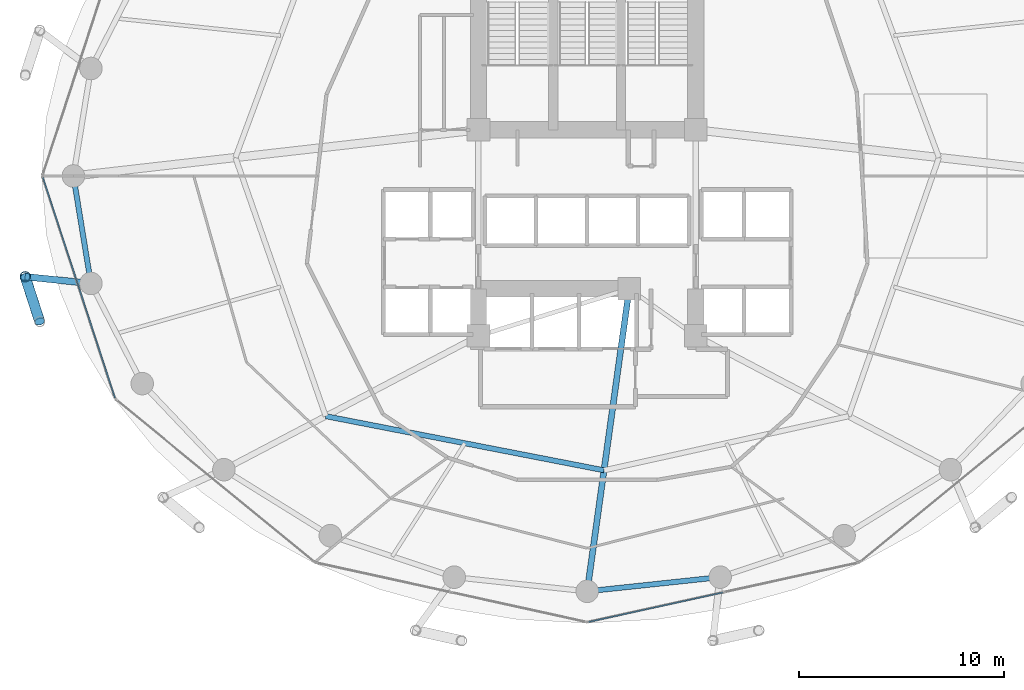
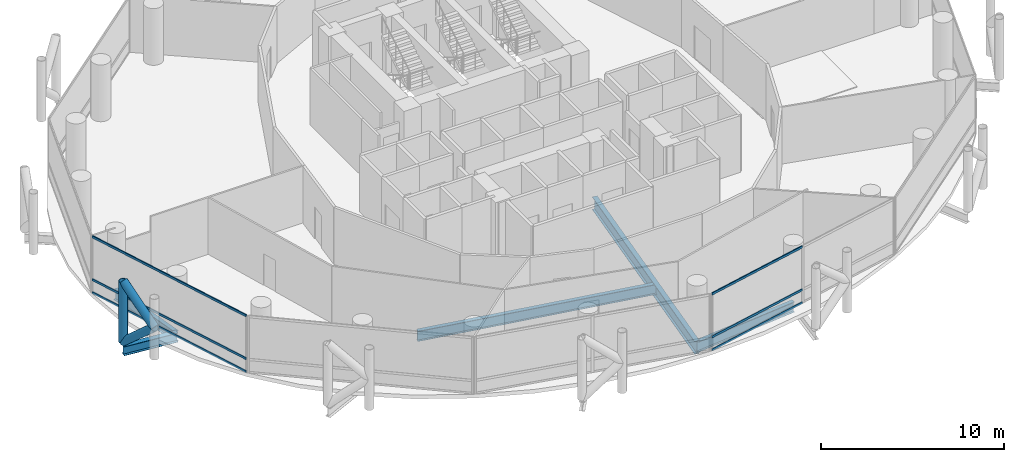
# One storey, part 5 of 24: 9 members, 5 beams, 2 elements without a shape of their own.
"""IFC4 building model written with IfcOpenShell, lengths in metres."""

import ifcopenshell
import ifcopenshell.guid

model = None  # the IFC model being written
_history = None  # IfcOwnerHistory: only IFC2X3 demands one
_inside = {}  # id of a spatial element -> (the spatial element, [elements in it])
_under = {}  # id of a project, library or spatial element -> (it, [spatial elements below it])
_declared = {}  # id of a project -> (the project, [libraries it declares])
_typed = {}  # id of a type object -> (the type object, [elements of that type])
_made_of = {}  # id of a material, layer set ... -> (it, [elements and type objects made of it])


def new_model(schema):
    """Start an empty IFC model of exactly this schema.

    Asked for "IFC4X3", IfcOpenShell would pick the latest addendum, in which some entities
    have other attributes; the version numbers below select the first issue.
    IFC2X3 requires an IfcOwnerHistory on every rooted entity: one is made here for all.
    """
    global model, _history
    if schema == "IFC4X3":
        model = ifcopenshell.file(schema_version=(4, 3, 0, 0))
    else:
        model = ifcopenshell.file(schema=schema)
    _inside.clear()
    _under.clear()
    _declared.clear()
    _typed.clear()
    _made_of.clear()
    _history = None
    if model.schema == "IFC2X3":
        org = make("IfcOrganization", Name="unknown")
        user = make(
            "IfcPersonAndOrganization",
            ThePerson=make("IfcPerson", FamilyName="unknown"),
            TheOrganization=org,
        )
        app = make(
            "IfcApplication",
            ApplicationDeveloper=org,
            Version="unknown",
            ApplicationFullName="unknown",
            ApplicationIdentifier="unknown",
        )
        _history = make(
            "IfcOwnerHistory",
            OwningUser=user,
            OwningApplication=app,
            ChangeAction="ADDED",
            CreationDate=0,
        )
    return model


def make(cls, **values):
    """One entity of the class cls with the attributes given. An attribute that is None is left unset."""
    return model.create_entity(
        cls, **{name: value for name, value in values.items() if value is not None}
    )


def rooted(cls, **values):
    """An entity with a GlobalId (a new one), such as an element, a storey or a relation."""
    return make(cls, GlobalId=ifcopenshell.guid.new(), OwnerHistory=_history, **values)


def si_unit(unit_type, name, prefix=None):
    """IfcSIUnit, for example si_unit("LENGTHUNIT", "METRE", prefix="MILLI")."""
    return make("IfcSIUnit", UnitType=unit_type, Prefix=prefix, Name=name)


def assignment(units):
    """IfcUnitAssignment: the units of a project."""
    return None if units is None else make("IfcUnitAssignment", Units=units)


def point(xyz):
    """IfcCartesianPoint."""
    return None if xyz is None else make("IfcCartesianPoint", Coordinates=xyz)


def direction(xyz):
    """IfcDirection."""
    return None if xyz is None else make("IfcDirection", DirectionRatios=xyz)


def frame(location, z_axis=None, x_axis=None):
    """IfcAxis2Placement3D, a coordinate frame: its origin and axes. An axis left out is left unset."""
    return make(
        "IfcAxis2Placement3D",
        Location=point(location),
        Axis=direction(z_axis),
        RefDirection=direction(x_axis),
    )


def frame_2d(location, x_axis=None):
    """IfcAxis2Placement2D, a coordinate frame in the plane: its origin and x axis."""
    return make(
        "IfcAxis2Placement2D", Location=point(location), RefDirection=direction(x_axis)
    )


def origin():
    """The frame at (0, 0, 0) with its axes left unset."""
    return frame((0.0, 0.0, 0.0))


def origin_2d():
    """The frame at (0, 0) in the plane with its x axis left unset."""
    return frame_2d((0.0, 0.0))


def place(relative_to, where):
    """IfcLocalPlacement: puts the frame where relative to a parent placement (None: the world)."""
    return make(
        "IfcLocalPlacement", PlacementRelTo=relative_to, RelativePlacement=where
    )


def context(
    kind, dimensions, precision=None, world=None, true_north=None, identifier=None
):
    """IfcGeometricRepresentationContext, for example the 3D "Model" context."""
    return make(
        "IfcGeometricRepresentationContext",
        ContextIdentifier=identifier,
        ContextType=kind,
        CoordinateSpaceDimension=dimensions,
        Precision=precision,
        WorldCoordinateSystem=world,
        TrueNorth=true_north,
    )


def subcontext(parent, identifier, kind, view, scale=None):
    """IfcGeometricRepresentationSubContext, for example "Body" below "Model"."""
    return make(
        "IfcGeometricRepresentationSubContext",
        ContextIdentifier=identifier,
        ContextType=kind,
        ParentContext=parent,
        TargetScale=scale,
        TargetView=view,
    )


def project(units=None, contexts=None):
    """IfcProject with its units and contexts."""
    return rooted(
        "IfcProject",
        Name="project",
        RepresentationContexts=contexts,
        UnitsInContext=assignment(units),
    )


def spatial(cls, under=None, at=None, **own):
    """A site, building, storey or space (cls), placed at a placement, below another one or the project."""
    s = rooted(cls, ObjectPlacement=at, **own)
    if under is not None:
        _under.setdefault(under.id(), (under, []))[1].append(s)
    return s


def profile(cls, at=None, kind="AREA", **sizes):
    """A parametric profile (cls). Its sizes go by their IFC names, for example OverallWidth=200.0."""
    return make(cls, ProfileType=kind, Position=at, **sizes)


def hollow_rectangle(**sizes):
    """IfcRectangleHollowProfileDef."""
    return profile("IfcRectangleHollowProfileDef", **sizes)


def hollow_circle(**sizes):
    """IfcCircleHollowProfileDef."""
    return profile("IfcCircleHollowProfileDef", **sizes)


def i_section(**sizes):
    """IfcIShapeProfileDef."""
    return profile("IfcIShapeProfileDef", **sizes)


def extrude(swept, where, along, depth):
    """IfcExtrudedAreaSolid: the profile swept, set in the frame where, extruded along a direction by depth."""
    return make(
        "IfcExtrudedAreaSolid",
        SweptArea=swept,
        Position=where,
        ExtrudedDirection=direction(along),
        Depth=depth,
    )


def shape(context_of_items, identifier, shape_type, items):
    """IfcShapeRepresentation: the items that make up one representation, for example the "Body"."""
    return make(
        "IfcShapeRepresentation",
        ContextOfItems=context_of_items,
        RepresentationIdentifier=identifier,
        RepresentationType=shape_type,
        Items=items,
    )


def material(Name=None, Category=None):
    """IfcMaterial."""
    return make("IfcMaterial", Name=Name, Category=Category)


def layer(
    of_material, thickness, ventilated=None, Name=None, Category=None, Priority=None
):
    """IfcMaterialLayer: one layer of a wall or slab, of a material (None: an air gap)."""
    return make(
        "IfcMaterialLayer",
        Material=of_material,
        LayerThickness=thickness,
        IsVentilated=ventilated,
        Name=Name,
        Category=Category,
        Priority=Priority,
    )


def layer_set(layers, Name=None):
    """IfcMaterialLayerSet."""
    return make("IfcMaterialLayerSet", MaterialLayers=layers, LayerSetName=Name)


def material_profile(
    of_material, cross_section, Name=None, Category=None, Priority=None
):
    """IfcMaterialProfile: a cross section and its material."""
    return make(
        "IfcMaterialProfile",
        Name=Name,
        Material=of_material,
        Profile=cross_section,
        Priority=Priority,
        Category=Category,
    )


def profile_set(profiles, Name=None, composite=None):
    """IfcMaterialProfileSet."""
    return make(
        "IfcMaterialProfileSet",
        Name=Name,
        MaterialProfiles=profiles,
        CompositeProfile=composite,
    )


def made_of(thing, what):
    """Note that an element or type object is made of a material, layer set ...; save() writes the relation."""
    if what is not None:
        _made_of.setdefault(what.id(), (what, []))[1].append(thing)
    return thing


def type_object(cls, material=None, **own):
    """A type object (cls), such as IfcWallType, which elements share."""
    return made_of(rooted(cls, **own), material)


def element(
    cls,
    number,
    at=None,
    inside=None,
    cuts=None,
    type_object=None,
    material=None,
    context=None,
    identifier="Body",
    shape_type=None,
    held_by="IfcProductDefinitionShape",
    body=None,
    shapes=None,
    **own,
):
    """One element of the class cls, such as IfcWall. Its Tag is "e" and its number.

    at: its placement. inside: the storey or other place that contains it. cuts: it is an
    opening in that element (IfcRelVoidsElement). A single representation is given by context,
    identifier, shape_type and body (its items); several are given by shapes. held_by: the class
    of the entity that holds the representations. save() writes the other relations.
    """
    e = rooted(cls, Tag="e%d" % number, ObjectPlacement=at, **own)
    if body is not None:
        shapes = [shape(context, identifier, shape_type, body)]
    if shapes is not None:
        e.Representation = make(held_by, Representations=shapes)
    if inside is not None:
        _inside.setdefault(inside.id(), (inside, []))[1].append(e)
    if cuts is not None:
        rooted(
            "IfcRelVoidsElement", RelatingBuildingElement=cuts, RelatedOpeningElement=e
        )
    if type_object is not None:
        _typed.setdefault(type_object.id(), (type_object, []))[1].append(e)
    return made_of(e, material)


def aggregate(whole, parts):
    """IfcRelAggregates: a whole, such as a stair, and the parts it consists of."""
    return rooted("IfcRelAggregates", RelatingObject=whole, RelatedObjects=parts)


def save(model, path):
    """Write the relations noted so far, then the file.

    IfcRelAggregates (storeys below a building ...), IfcRelContainedInSpatialStructure (elements
    in a storey), IfcRelDefinesByType, IfcRelAssociatesMaterial and IfcRelDeclares: one each for
    every whole, place, type object, material and project.
    """
    for whole, parts in _under.values():
        aggregate(whole, parts)
    for where, things in _inside.values():
        rooted(
            "IfcRelContainedInSpatialStructure",
            RelatedElements=things,
            RelatingStructure=where,
        )
    for kind, things in _typed.values():
        rooted("IfcRelDefinesByType", RelatedObjects=things, RelatingType=kind)
    for what, things in _made_of.values():
        rooted("IfcRelAssociatesMaterial", RelatedObjects=things, RelatingMaterial=what)
    for by, libraries in _declared.values():
        rooted("IfcRelDeclares", RelatingContext=by, RelatedDefinitions=libraries)
    model.write(path)


model = new_model("IFC4")

# Units and contexts
model_context = context("Model", 3, precision=1e-05, world=origin(), true_north=direction((0.0, 1.0)))
body_context = subcontext(model_context, "Body", "Model", "MODEL_VIEW")
ifc_project = project(units=[si_unit("LENGTHUNIT", "METRE"), si_unit("AREAUNIT", "SQUARE_METRE"), si_unit("VOLUMEUNIT", "CUBIC_METRE"), si_unit("PLANEANGLEUNIT", "RADIAN"), si_unit("MASSUNIT", "GRAM", prefix="KILO")], contexts=[model_context])

# Site, building, storey
site_placement = place(None, origin())
site = spatial("IfcSite", under=ifc_project, at=site_placement, CompositionType="ELEMENT")
building_placement = place(site_placement, origin())
building = spatial("IfcBuilding", under=site, at=building_placement, Name="Nuhasar Tower", CompositionType="ELEMENT")
storey_placement = place(building_placement, frame((0.0, 0.0, 37.199951171875)))
storey = spatial("IfcBuildingStorey", under=building, at=storey_placement, Name="L08", CompositionType="ELEMENT", Elevation=37.199951171875)

# Beams
ifc_material_1 = material(Name="Steel S355", Category="steel")
ifc_material_profile_1 = material_profile(ifc_material_1, i_section(OverallWidth=0.25390625, OverallDepth=0.68408203125, WebThickness=0.012451171875, FlangeThickness=0.018798828125, at=origin_2d()), Name="W27X94")
ifc_profile_set_1 = profile_set([ifc_material_profile_1], Name="Steel S355")
beam_type_1 = type_object("IfcBeamType", Name="BM-INRING-W27X94", PredefinedType="BEAM", material=ifc_profile_set_1)
beam_1_placement = place(storey_placement, frame((26.251953125, 15.089111328125, -0.60205078125), z_axis=(0.981602977761, -0.190933480695, 0.0), x_axis=(0.190933480695, 0.981602977761, 0.0)))
element("IfcBeam", 1, at=beam_1_placement, inside=storey, type_object=beam_type_1, Name="L08 Inner Header Beam 01", PredefinedType="BEAM", context=body_context, shape_type="SweptSolid", body=[
    extrude(i_section(OverallWidth=0.25390625, OverallDepth=0.68408203125, WebThickness=0.012451171875, FlangeThickness=0.018798828125, at=origin_2d()), origin(), (0.0, 0.0, 1.0), 13.822509765625),
])
ifc_material_profile_2 = material_profile(ifc_material_1, i_section(OverallWidth=0.2919921875, OverallDepth=0.85888671875, WebThickness=0.01708984375, FlangeThickness=0.031005859375, at=origin_2d()), Name="W33X169")
ifc_profile_set_2 = profile_set([ifc_material_profile_2], Name="Steel S355")
beam_type_2 = type_object("IfcBeamType", Name="BM-POD-W33X169", PredefinedType="BEAM", material=ifc_profile_set_2)
beam_2_placement = place(storey_placement, frame((41.050048828125, 21.300048828125, -0.68896484375), z_axis=(-0.137663087856, -0.990479113481, 0.0), x_axis=(0.990479113481, -0.137663087856, 0.0)))
element("IfcBeam", 2, at=beam_2_placement, inside=storey, type_object=beam_type_2, Name="L08 Radial Floor Girder 02", PredefinedType="BEAM", context=body_context, shape_type="SweptSolid", body=[
    extrude(i_section(OverallWidth=0.2919921875, OverallDepth=0.85888671875, WebThickness=0.01708984375, FlangeThickness=0.031005859375, at=origin_2d()), origin(), (0.0, 0.0, 1.0), 14.891845703125),
])
ifc_material_profile_3 = material_profile(ifc_material_1, i_section(OverallWidth=0.256103515625, OverallDepth=0.693115234375, WebThickness=0.014404296875, FlangeThickness=0.023681640625, at=origin_2d()), Name="W27X114")
ifc_profile_set_3 = profile_set([ifc_material_profile_3], Name="Steel S355")
beam_type_3 = type_object("IfcBeamType", Name="BM-RING-W27X114", PredefinedType="SPANDREL", material=ifc_profile_set_3)
beam_3_placement = place(storey_placement, frame((13.949951171875, 26.800048828125, -0.60693359375), z_axis=(0.160826635486, -0.986982671235, 0.0), x_axis=(0.986982671235, 0.160826635486, 0.0)))
element("IfcBeam", 3, at=beam_3_placement, inside=storey, type_object=beam_type_3, Name="L08 Perimeter Ring Spandrel 13", PredefinedType="SPANDREL", context=body_context, shape_type="SweptSolid", body=[
    extrude(i_section(OverallWidth=0.256103515625, OverallDepth=0.693115234375, WebThickness=0.014404296875, FlangeThickness=0.023681640625, at=origin_2d()), origin(), (0.0, 0.0, 1.0), 5.31005859375),
])
beam_4_placement = place(storey_placement, frame((39.0, 6.550048828125, -0.60693359375), z_axis=(0.994384554061, 0.105827022286, 0.0), x_axis=(-0.105827022286, 0.994384554061, 0.0)))
element("IfcBeam", 4, at=beam_4_placement, inside=storey, type_object=beam_type_3, Name="L08 Perimeter Ring Spandrel 19", PredefinedType="SPANDREL", context=body_context, shape_type="SweptSolid", body=[
    extrude(i_section(OverallWidth=0.256103515625, OverallDepth=0.693115234375, WebThickness=0.014404296875, FlangeThickness=0.023681640625, at=origin_2d()), origin(), (0.0, 0.0, 1.0), 6.51953125),
])
ifc_material_profile_4 = material_profile(ifc_material_1, i_section(OverallWidth=0.323974609375, OverallDepth=0.611083984375, WebThickness=0.0126953125, FlangeThickness=0.01904296875, at=origin_2d()), Name="W24X104")
ifc_profile_set_4 = profile_set([ifc_material_profile_4], Name="Steel S355")
beam_type_4 = type_object("IfcBeamType", Name="BM-TIE-W24X104", PredefinedType="BEAM", material=ifc_profile_set_4)
beam_5_placement = place(storey_placement, frame((14.803955078125, 21.55908203125, -0.56591796875), z_axis=(-0.994711572359, 0.102707778751, 0.0), x_axis=(-0.102707778751, -0.994711572359, 0.0)))
element("IfcBeam", 5, at=beam_5_placement, inside=storey, type_object=beam_type_4, Name="L08 Exoskeleton Node Tie Beam 07", PredefinedType="BEAM", context=body_context, shape_type="SweptSolid", body=[
    extrude(i_section(OverallWidth=0.323974609375, OverallDepth=0.611083984375, WebThickness=0.0126953125, FlangeThickness=0.01904296875, at=origin_2d()), origin(), (0.0, 0.0, 1.0), 3.220947265625),
])

# Curtain wall, members
ifc_material_2 = material(Name="Aluminium 6063-T6", Category="aluminium")
ifc_layer = layer(ifc_material_2, 0.199951171875)
ifc_layer_set = layer_set([ifc_layer], Name="Aluminium 6063-T6")
curtain_wall_type = type_object("IfcCurtainWallType", Name="CW-Z1-OFF", PredefinedType="NOTDEFINED", material=ifc_layer_set)
curtain_wall_1_placement = place(storey_placement, origin())
curtain_wall_1 = element("IfcCurtainWall", 6, at=curtain_wall_1_placement, inside=storey, type_object=curtain_wall_type, Name="L08 Unitised Curtain Wall 07", PredefinedType="NOTDEFINED")
ifc_material_profile_5 = material_profile(ifc_material_2, hollow_rectangle(XDim=0.06494140625, YDim=0.14990234375, WallThickness=0.00439453125, at=origin_2d()), Name="CWT-2")
ifc_profile_set_5 = profile_set([ifc_material_profile_5], Name="Aluminium 6063-T6")
member_type_1 = type_object("IfcMemberType", Name="CW-TRN-S2", PredefinedType="USERDEFINED", material=ifc_profile_set_5)
member_1_placement = place(storey_placement, frame((12.460205078125, 26.73828125, 0.032470703125), z_axis=(0.310818687697, -0.950469222741, 0.0), x_axis=(0.950469222741, 0.310818687697, 0.0)))
member_1 = element("IfcMember", 7, at=member_1_placement, type_object=member_type_1, Name="CW-Z1 transom 1.1", ObjectType="TRANSOM", PredefinedType="USERDEFINED", context=body_context, shape_type="SweptSolid", body=[
    extrude(hollow_rectangle(XDim=0.06494140625, YDim=0.14990234375, WallThickness=0.00439453125, at=origin_2d()), origin(), (0.0, 0.0, 1.0), 11.317138671875),
])
member_2_placement = place(storey_placement, frame((12.460205078125, 26.73828125, 0.900146484375), z_axis=(0.310818687697, -0.950469222741, 0.0), x_axis=(0.950469222741, 0.310818687697, 0.0)))
member_2 = element("IfcMember", 8, at=member_2_placement, type_object=member_type_1, Name="CW-Z1 transom 1.2", ObjectType="TRANSOM", PredefinedType="USERDEFINED", context=body_context, shape_type="SweptSolid", body=[
    extrude(hollow_rectangle(XDim=0.06494140625, YDim=0.14990234375, WallThickness=0.00439453125, at=origin_2d()), origin(), (0.0, 0.0, 1.0), 11.317138671875),
])
member_3_placement = place(storey_placement, frame((12.460205078125, 26.73828125, 3.757568359375), z_axis=(0.310818687697, -0.950469222741, 0.0), x_axis=(0.950469222741, 0.310818687697, 0.0)))
member_3 = element("IfcMember", 9, at=member_3_placement, type_object=member_type_1, Name="CW-Z1 transom 1.3", ObjectType="TRANSOM", PredefinedType="USERDEFINED", context=body_context, shape_type="SweptSolid", body=[
    extrude(hollow_rectangle(XDim=0.06494140625, YDim=0.14990234375, WallThickness=0.00439453125, at=origin_2d()), origin(), (0.0, 0.0, 1.0), 11.317138671875),
])
aggregate(curtain_wall_1, [member_1, member_2, member_3])

curtain_wall_2_placement = place(storey_placement, origin())
curtain_wall_2 = element("IfcCurtainWall", 10, at=curtain_wall_2_placement, inside=storey, type_object=curtain_wall_type, Name="L08 Unitised Curtain Wall 10", PredefinedType="NOTDEFINED")
member_4_placement = place(storey_placement, frame((39.0634765625, 5.053955078125, 0.032470703125), z_axis=(0.976747879138, 0.214391185916, 0.0), x_axis=(-0.214391185916, 0.976747879138, 0.0)))
member_4 = element("IfcMember", 11, at=member_4_placement, type_object=member_type_1, Name="CW-Z1 transom 1.1", ObjectType="TRANSOM", PredefinedType="USERDEFINED", context=body_context, shape_type="SweptSolid", body=[
    extrude(hollow_rectangle(XDim=0.06494140625, YDim=0.14990234375, WallThickness=0.00439453125, at=origin_2d()), origin(), (0.0, 0.0, 1.0), 6.700439453125),
])
member_5_placement = place(storey_placement, frame((39.0634765625, 5.053955078125, 0.900146484375), z_axis=(0.976747879138, 0.214391185916, 0.0), x_axis=(-0.214391185916, 0.976747879138, 0.0)))
member_5 = element("IfcMember", 12, at=member_5_placement, type_object=member_type_1, Name="CW-Z1 transom 1.2", ObjectType="TRANSOM", PredefinedType="USERDEFINED", context=body_context, shape_type="SweptSolid", body=[
    extrude(hollow_rectangle(XDim=0.06494140625, YDim=0.14990234375, WallThickness=0.00439453125, at=origin_2d()), origin(), (0.0, 0.0, 1.0), 6.700439453125),
])
member_6_placement = place(storey_placement, frame((39.0634765625, 5.053955078125, 3.757568359375), z_axis=(0.976747879138, 0.214391185916, 0.0), x_axis=(-0.214391185916, 0.976747879138, 0.0)))
member_6 = element("IfcMember", 13, at=member_6_placement, type_object=member_type_1, Name="CW-Z1 transom 1.3", ObjectType="TRANSOM", PredefinedType="USERDEFINED", context=body_context, shape_type="SweptSolid", body=[
    extrude(hollow_rectangle(XDim=0.06494140625, YDim=0.14990234375, WallThickness=0.00439453125, at=origin_2d()), origin(), (0.0, 0.0, 1.0), 6.700439453125),
])
aggregate(curtain_wall_2, [member_4, member_5, member_6])

# Members
ifc_material_3 = material(Name="Steel S460", Category="steel")
ifc_material_profile_6 = material_profile(ifc_material_3, hollow_circle(Radius=0.25390625, WallThickness=0.025390625, at=origin_2d()), Name="HSS508X25.4")
ifc_profile_set_6 = profile_set([ifc_material_profile_6], Name="Steel S460")
member_type_2 = type_object("IfcMemberType", Name="EXO-BRONZE-508", PredefinedType="BRACE", material=ifc_profile_set_6)
member_7_placement = place(storey_placement, frame((11.60009765625, 21.889892578125, 0.0), z_axis=(0.0, 0.0, 1.0), x_axis=(1.0, 0.0, 0.0)))
element("IfcMember", 14, at=member_7_placement, inside=storey, type_object=member_type_2, Name="L08 Exoskeleton Chord Column EC-07A", PredefinedType="BRACE", context=body_context, shape_type="SweptSolid", body=[
    extrude(hollow_circle(Radius=0.25390625, WallThickness=0.025390625, at=origin_2d()), origin(), (0.0, 0.0, 1.0), 4.050048828125),
])
member_8_placement = place(storey_placement, frame((11.60009765625, 21.889892578125, 0.0), z_axis=(0.230999678299, -0.714187281251, 0.660738734997), x_axis=(0.951468282519, 0.307746823478, 0.0)))
element("IfcMember", 15, at=member_8_placement, inside=storey, type_object=member_type_2, Name="L08 Bronze Diagrid Brace W1-07", PredefinedType="BRACE", context=body_context, shape_type="SweptSolid", body=[
    extrude(hollow_circle(Radius=0.25390625, WallThickness=0.025390625, at=origin_2d()), origin(), (0.0, 0.0, 1.0), 3.06494140625),
])
member_9_placement = place(storey_placement, frame((12.30810546875, 19.700927734375, 2.025146484375), z_axis=(-0.231011836313, 0.714224870475, 0.660693851854), x_axis=(-0.951468282519, -0.307746823478, 0.0)))
element("IfcMember", 16, at=member_9_placement, inside=storey, type_object=member_type_2, Name="L08 Bronze Diagrid Brace W2-07", PredefinedType="BRACE", context=body_context, shape_type="SweptSolid", body=[
    extrude(hollow_circle(Radius=0.25390625, WallThickness=0.025390625, at=origin_2d()), origin(), (0.0, 0.0, 1.0), 3.064697265625),
])

save(model, "model.ifc")
